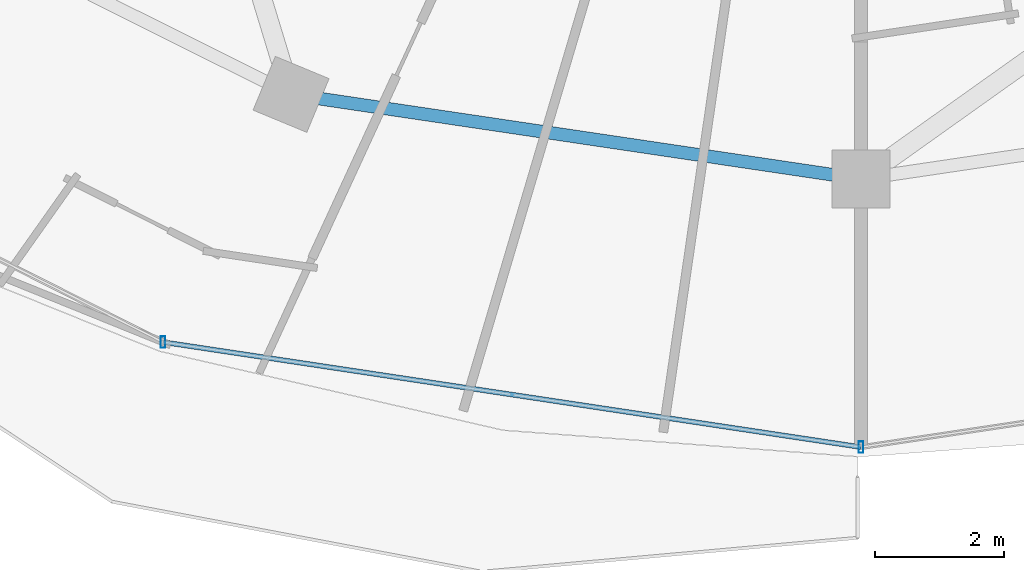
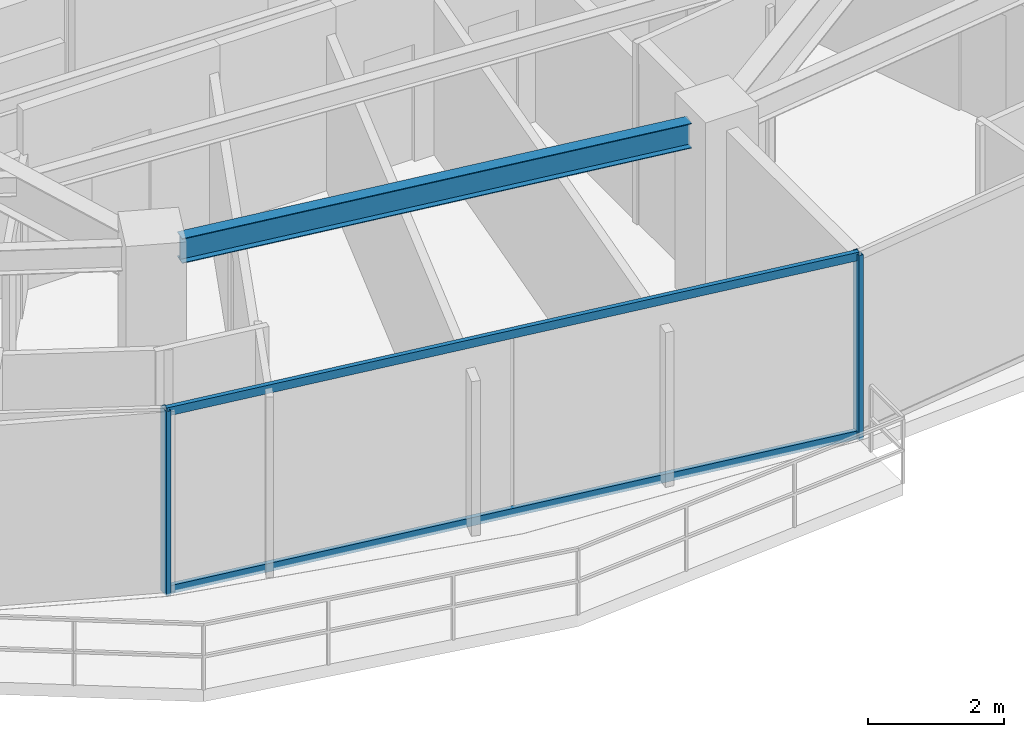
# One storey, part 5 of 33: 4 members, 1 beam, 1 element without a shape of its own.
"""IFC4 building model written with IfcOpenShell, lengths in metres."""

from ifc_helpers import new_model, si_unit, direction, frame, origin, origin_2d, place, context, subcontext, project, spatial, hollow_rectangle, i_section, extrude, material, material_profile, profile_set, type_object, element, aggregate, save


model = new_model("IFC4")

# Units and contexts
model_context = context("Model", 3, precision=1e-05, world=origin(), true_north=direction((0.0, 1.0)))
body_context = subcontext(model_context, "Body", "Model", "MODEL_VIEW")
ifc_project = project(units=[si_unit("LENGTHUNIT", "METRE"), si_unit("AREAUNIT", "SQUARE_METRE"), si_unit("VOLUMEUNIT", "CUBIC_METRE"), si_unit("PLANEANGLEUNIT", "RADIAN"), si_unit("MASSUNIT", "GRAM", prefix="KILO")], contexts=[model_context])

# Site, building, storey
site_placement = place(None, origin())
site = spatial("IfcSite", under=ifc_project, at=site_placement, CompositionType="ELEMENT")
building_placement = place(site_placement, origin())
building = spatial("IfcBuilding", under=site, at=building_placement, Name="Vorneva Point Tower", CompositionType="ELEMENT")
storey_placement = place(building_placement, frame((0.0, 0.0, 179.10009765625)))
storey = spatial("IfcBuildingStorey", under=building, at=storey_placement, Name="L48", CompositionType="ELEMENT", Elevation=179.10009765625)

# Beam
ifc_material_1 = material(Name="Steel S355", Category="steel")
ifc_material_profile_1 = material_profile(ifc_material_1, i_section(OverallWidth=0.198974609375, OverallDepth=0.446044921875, WebThickness=0.008056640625, FlangeThickness=0.011962890625, at=origin_2d()), Name="45B1")
ifc_profile_set_1 = profile_set([ifc_material_profile_1], Name="Steel S355")
beam_type = type_object("IfcBeamType", Name="BM-SPN-45B1", PredefinedType="SPANDREL", material=ifc_profile_set_1)
beam_placement = place(storey_placement, frame((29.609375, 10.04541015625, 3.016845703125), z_axis=(0.989165476332, -0.146804837907, 0.0), x_axis=(0.146804837907, 0.989165476332, 0.0)))
element("IfcBeam", 1, at=beam_placement, inside=storey, type_object=beam_type, Name="L48 Perimeter Spandrel Ring Beam 12", PredefinedType="SPANDREL", context=body_context, shape_type="SweptSolid", body=[
    extrude(i_section(OverallWidth=0.198974609375, OverallDepth=0.446044921875, WebThickness=0.008056640625, FlangeThickness=0.011962890625, at=origin_2d()), origin(), (0.0, 0.0, 1.0), 8.04736328125),
])

# Curtain wall, members
ifc_material_2 = material(Name="Pale anodised aluminium", Category="aluminium")
curtain_wall_type = type_object("IfcCurtainWallType", Name="CW-RES-SYS", PredefinedType="NOTDEFINED", material=ifc_material_2)
curtain_wall_placement = place(storey_placement, origin())
curtain_wall = element("IfcCurtainWall", 2, at=curtain_wall_placement, inside=storey, type_object=curtain_wall_type, Name="L48 Unitised Curtain Wall CW-L48-R03", PredefinedType="NOTDEFINED")
ifc_material_profile_2 = material_profile(ifc_material_2, hollow_rectangle(XDim=0.074951171875, YDim=0.179931640625, WallThickness=0.00390625, at=origin_2d()), Name="AL-MUL 180x75x4")
ifc_profile_set_2 = profile_set([ifc_material_profile_2], Name="Pale anodised aluminium")
member_type_1 = type_object("IfcMemberType", Name="CW-MUL-180", PredefinedType="MULLION", material=ifc_profile_set_2)
member_1_placement = place(storey_placement, frame((27.19677734375, 6.275146484375, -0.0400390625), z_axis=(0.0, 0.0, 1.0), x_axis=(1.0, 0.0, 0.0)))
member_1 = element("IfcMember", 3, at=member_1_placement, type_object=member_type_1, Name="CW-L48-R03 Mullion 03", PredefinedType="MULLION", context=body_context, shape_type="SweptSolid", body=[
    extrude(hollow_rectangle(XDim=0.074951171875, YDim=0.179931640625, WallThickness=0.00390625, at=origin_2d()), origin(), (0.0, 0.0, 1.0), 3.31005859375),
])
member_2_placement = place(storey_placement, frame((38.0, 4.64990234375, -0.0400390625), z_axis=(0.0, 0.0, 1.0), x_axis=(1.0, 0.0, 0.0)))
member_2 = element("IfcMember", 4, at=member_2_placement, type_object=member_type_1, Name="CW-L48-R03 Mullion 04", PredefinedType="MULLION", context=body_context, shape_type="SweptSolid", body=[
    extrude(hollow_rectangle(XDim=0.074951171875, YDim=0.179931640625, WallThickness=0.00390625, at=origin_2d()), origin(), (0.0, 0.0, 1.0), 3.31005859375),
])
ifc_material_profile_3 = material_profile(ifc_material_2, hollow_rectangle(XDim=0.074951171875, YDim=0.14990234375, WallThickness=0.00390625, at=origin_2d()), Name="AL-TRN 150x75x4")
ifc_profile_set_3 = profile_set([ifc_material_profile_3], Name="Pale anodised aluminium")
member_type_2 = type_object("IfcMemberType", Name="CW-TRN-150", PredefinedType="USERDEFINED", material=ifc_profile_set_3)
member_3_placement = place(storey_placement, frame((27.19677734375, 6.275146484375, 0.02001953125), z_axis=(0.988872333273, -0.148766624239, 0.0), x_axis=(0.148766624239, 0.988872333273, 0.0)))
member_3 = element("IfcMember", 5, at=member_3_placement, type_object=member_type_2, Name="CW-L48-R03 Transom 03.1", ObjectType="TRANSOM", PredefinedType="USERDEFINED", context=body_context, shape_type="SweptSolid", body=[
    extrude(hollow_rectangle(XDim=0.074951171875, YDim=0.14990234375, WallThickness=0.00390625, at=origin_2d()), origin(), (0.0, 0.0, 1.0), 10.9248046875),
])
member_4_placement = place(storey_placement, frame((27.19677734375, 6.275146484375, 3.219970703125), z_axis=(0.988872333273, -0.148766624239, 0.0), x_axis=(0.148766624239, 0.988872333273, 0.0)))
member_4 = element("IfcMember", 6, at=member_4_placement, type_object=member_type_2, Name="CW-L48-R03 Transom 03.2", ObjectType="TRANSOM", PredefinedType="USERDEFINED", context=body_context, shape_type="SweptSolid", body=[
    extrude(hollow_rectangle(XDim=0.074951171875, YDim=0.14990234375, WallThickness=0.00390625, at=origin_2d()), origin(), (0.0, 0.0, 1.0), 10.9248046875),
])
aggregate(curtain_wall, [member_1, member_2, member_3, member_4])

save(model, "model.ifc")
